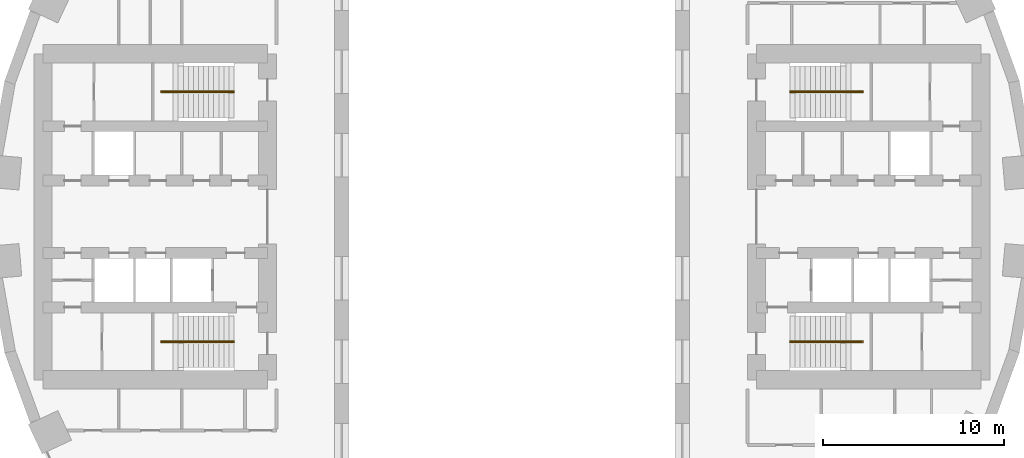
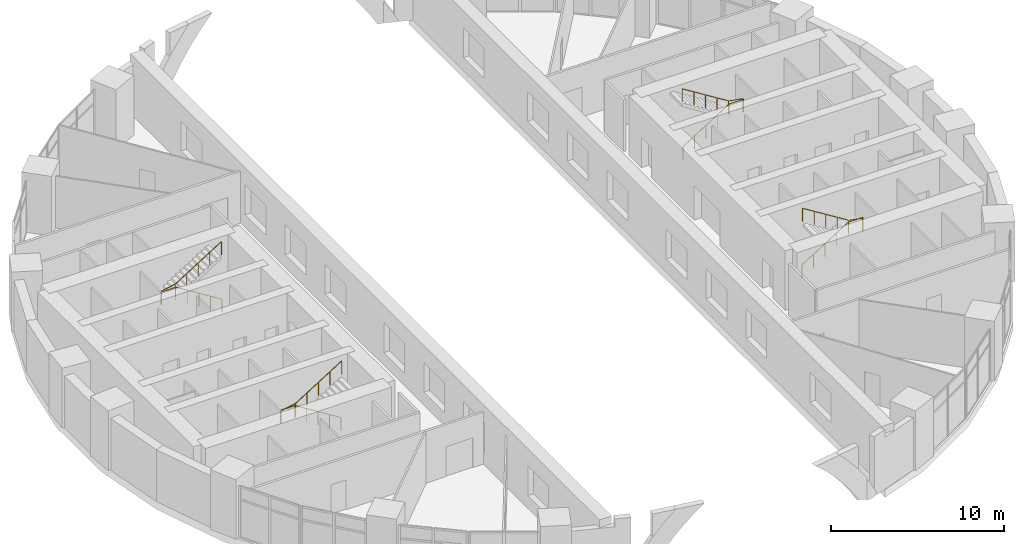
# One storey, part 13 of 13: 4 railings.
"""IFC4 building model written with IfcOpenShell, lengths in metres."""

from ifc_helpers import new_model, si_unit, direction, frame, origin, origin_2d, place, context, subcontext, project, spatial, circle, extrude, material, type_object, element, save


model = new_model("IFC4")

# Units and contexts
model_context = context("Model", 3, precision=1e-05, world=origin(), true_north=direction((0.0, 1.0)))
body_context = subcontext(model_context, "Body", "Model", "MODEL_VIEW")
ifc_project = project(units=[si_unit("LENGTHUNIT", "METRE"), si_unit("AREAUNIT", "SQUARE_METRE"), si_unit("VOLUMEUNIT", "CUBIC_METRE"), si_unit("PLANEANGLEUNIT", "RADIAN"), si_unit("MASSUNIT", "GRAM", prefix="KILO")], contexts=[model_context])

# Site, building, storey
site_placement = place(None, origin())
site = spatial("IfcSite", under=ifc_project, at=site_placement, CompositionType="ELEMENT")
building_placement = place(site_placement, origin())
building = spatial("IfcBuilding", under=site, at=building_placement, Name="Saqina Gate Tower", CompositionType="ELEMENT")
storey_placement = place(building_placement, frame((0.0, 0.0, 13.39990234375)))
storey = spatial("IfcBuildingStorey", under=building, at=storey_placement, Name="L03", CompositionType="ELEMENT", Elevation=13.39990234375)

# Railings
ifc_material = material(Name="Stainless steel", Category="steel")
railing_type = type_object("IfcRailingType", Name="STAIR HANDRAIL", PredefinedType="HANDRAIL", material=ifc_material)
railing_1_placement = place(storey_placement, frame((15.35009765625, 6.86669921875, 0.175048828125)))
element("IfcRailing", 1, at=railing_1_placement, inside=storey, type_object=railing_type, Name="EXIT STAIR 1 HANDRAIL", PredefinedType="HANDRAIL", context=body_context, shape_type="SweptSolid", body=[
    extrude(circle(Radius=0.02392578125, at=origin_2d()), frame((0.0, 0.0, 0.92578125), z_axis=(0.847979421464, 0.0, 0.530029150871), x_axis=(0.0, 1.0, 0.0)), (0.0, 0.0, 1.0), 3.632080078125),
    extrude(circle(Radius=0.02392578125, at=origin_2d()), frame((3.079833984375, 0.0, 2.85107421875), z_axis=(1.0, 0.0, 0.0), x_axis=(0.0, 1.0, 0.0)), (0.0, 0.0, 1.0), 0.949951171875),
    extrude(circle(Radius=0.02392578125, at=origin_2d()), frame((4.02978515625, 0.0, 2.85107421875), z_axis=(0.0, 1.0, 0.0), x_axis=(-1.0, 0.0, 0.0)), (0.0, 0.0, 1.0), 0.066650390625),
    extrude(circle(Radius=0.02392578125, at=origin_2d()), frame((4.02978515625, 0.066650390625, 2.85107421875), z_axis=(-0.983442521697, 0.0, 0.181220325895), x_axis=(0.0, -1.0, 0.0)), (0.0, 0.0, 1.0), 0.966064453125),
    extrude(circle(Radius=0.02392578125, at=origin_2d()), frame((3.079833984375, 0.066650390625, 3.02587890625), z_axis=(-0.847979421464, 0.0, 0.530029150871), x_axis=(0.0, -1.0, 0.0)), (0.0, 0.0, 1.0), 3.632080078125),
    extrude(circle(Radius=0.02099609375, at=origin_2d()), origin(), (0.0, 0.0, 1.0), 0.90185546875),
    extrude(circle(Radius=0.02099609375, at=origin_2d()), frame((0.77001953125, 0.0, 0.481201171875)), (0.0, 0.0, 1.0), 0.90185546875),
    extrude(circle(Radius=0.02099609375, at=origin_2d()), frame((1.5400390625, 0.0, 0.96240234375)), (0.0, 0.0, 1.0), 0.90185546875),
    extrude(circle(Radius=0.02099609375, at=origin_2d()), frame((2.309814453125, 0.0, 1.44384765625)), (0.0, 0.0, 1.0), 0.90185546875),
    extrude(circle(Radius=0.02099609375, at=origin_2d()), frame((3.079833984375, 0.0, 1.925048828125)), (0.0, 0.0, 1.0), 0.90185546875),
    extrude(circle(Radius=0.02099609375, at=origin_2d()), frame((4.02978515625, 0.0, 1.925048828125)), (0.0, 0.0, 1.0), 0.90185546875),
    extrude(circle(Radius=0.02099609375, at=origin_2d()), frame((4.02978515625, 0.066650390625, 1.925048828125)), (0.0, 0.0, 1.0), 0.90185546875),
    extrude(circle(Radius=0.02099609375, at=origin_2d()), frame((3.079833984375, 0.066650390625, 2.10009765625)), (0.0, 0.0, 1.0), 0.90185546875),
    extrude(circle(Radius=0.02099609375, at=origin_2d()), frame((2.309814453125, 0.066650390625, 2.581298828125)), (0.0, 0.0, 1.0), 0.90185546875),
    extrude(circle(Radius=0.02099609375, at=origin_2d()), frame((1.5400390625, 0.066650390625, 3.0625)), (0.0, 0.0, 1.0), 0.90185546875),
    extrude(circle(Radius=0.02099609375, at=origin_2d()), frame((0.77001953125, 0.066650390625, 3.5439453125)), (0.0, 0.0, 1.0), 0.90185546875),
    extrude(circle(Radius=0.02099609375, at=origin_2d()), frame((0.0, 0.066650390625, 4.025146484375)), (0.0, 0.0, 1.0), 0.90185546875),
])
railing_2_placement = place(storey_placement, frame((15.35009765625, -6.86669921875, 0.175048828125)))
element("IfcRailing", 2, at=railing_2_placement, inside=storey, type_object=railing_type, Name="EXIT STAIR 2 HANDRAIL", PredefinedType="HANDRAIL", context=body_context, shape_type="SweptSolid", body=[
    extrude(circle(Radius=0.02392578125, at=origin_2d()), frame((0.0, 0.0, 0.92578125), z_axis=(0.847979421464, 0.0, 0.530029150871), x_axis=(0.0, 1.0, 0.0)), (0.0, 0.0, 1.0), 3.632080078125),
    extrude(circle(Radius=0.02392578125, at=origin_2d()), frame((3.079833984375, 0.0, 2.85107421875), z_axis=(1.0, 0.0, 0.0), x_axis=(0.0, 1.0, 0.0)), (0.0, 0.0, 1.0), 0.949951171875),
    extrude(circle(Radius=0.02392578125, at=origin_2d()), frame((4.02978515625, 0.0, 2.85107421875), z_axis=(0.0, -1.0, 0.0), x_axis=(1.0, 0.0, 0.0)), (0.0, 0.0, 1.0), 0.066650390625),
    extrude(circle(Radius=0.02392578125, at=origin_2d()), frame((4.02978515625, -0.066650390625, 2.85107421875), z_axis=(-0.983442521697, 0.0, 0.181220325895), x_axis=(0.0, -1.0, 0.0)), (0.0, 0.0, 1.0), 0.966064453125),
    extrude(circle(Radius=0.02392578125, at=origin_2d()), frame((3.079833984375, -0.066650390625, 3.02587890625), z_axis=(-0.847979421464, 0.0, 0.530029150871), x_axis=(0.0, -1.0, 0.0)), (0.0, 0.0, 1.0), 3.632080078125),
    extrude(circle(Radius=0.02099609375, at=origin_2d()), origin(), (0.0, 0.0, 1.0), 0.90185546875),
    extrude(circle(Radius=0.02099609375, at=origin_2d()), frame((0.77001953125, 0.0, 0.481201171875)), (0.0, 0.0, 1.0), 0.90185546875),
    extrude(circle(Radius=0.02099609375, at=origin_2d()), frame((1.5400390625, 0.0, 0.96240234375)), (0.0, 0.0, 1.0), 0.90185546875),
    extrude(circle(Radius=0.02099609375, at=origin_2d()), frame((2.309814453125, 0.0, 1.44384765625)), (0.0, 0.0, 1.0), 0.90185546875),
    extrude(circle(Radius=0.02099609375, at=origin_2d()), frame((3.079833984375, 0.0, 1.925048828125)), (0.0, 0.0, 1.0), 0.90185546875),
    extrude(circle(Radius=0.02099609375, at=origin_2d()), frame((4.02978515625, 0.0, 1.925048828125)), (0.0, 0.0, 1.0), 0.90185546875),
    extrude(circle(Radius=0.02099609375, at=origin_2d()), frame((4.02978515625, -0.066650390625, 1.925048828125)), (0.0, 0.0, 1.0), 0.90185546875),
    extrude(circle(Radius=0.02099609375, at=origin_2d()), frame((3.079833984375, -0.066650390625, 2.10009765625)), (0.0, 0.0, 1.0), 0.90185546875),
    extrude(circle(Radius=0.02099609375, at=origin_2d()), frame((2.309814453125, -0.066650390625, 2.581298828125)), (0.0, 0.0, 1.0), 0.90185546875),
    extrude(circle(Radius=0.02099609375, at=origin_2d()), frame((1.5400390625, -0.066650390625, 3.0625)), (0.0, 0.0, 1.0), 0.90185546875),
    extrude(circle(Radius=0.02099609375, at=origin_2d()), frame((0.77001953125, -0.066650390625, 3.5439453125)), (0.0, 0.0, 1.0), 0.90185546875),
    extrude(circle(Radius=0.02099609375, at=origin_2d()), frame((0.0, -0.066650390625, 4.025146484375)), (0.0, 0.0, 1.0), 0.90185546875),
])
railing_3_placement = place(storey_placement, frame((-15.35009765625, 6.86669921875, 0.175048828125)))
element("IfcRailing", 3, at=railing_3_placement, inside=storey, type_object=railing_type, Name="EXIT STAIR 3 HANDRAIL", PredefinedType="HANDRAIL", context=body_context, shape_type="SweptSolid", body=[
    extrude(circle(Radius=0.02392578125, at=origin_2d()), frame((0.0, 0.0, 0.92578125), z_axis=(-0.847979421464, 0.0, 0.530029150871), x_axis=(0.0, -1.0, 0.0)), (0.0, 0.0, 1.0), 3.632080078125),
    extrude(circle(Radius=0.02392578125, at=origin_2d()), frame((-3.079833984375, 0.0, 2.85107421875), z_axis=(-1.0, 0.0, 0.0), x_axis=(0.0, -1.0, 0.0)), (0.0, 0.0, 1.0), 0.949951171875),
    extrude(circle(Radius=0.02392578125, at=origin_2d()), frame((-4.02978515625, 0.0, 2.85107421875), z_axis=(0.0, 1.0, 0.0), x_axis=(-1.0, 0.0, 0.0)), (0.0, 0.0, 1.0), 0.066650390625),
    extrude(circle(Radius=0.02392578125, at=origin_2d()), frame((-4.02978515625, 0.066650390625, 2.85107421875), z_axis=(0.983442521697, 0.0, 0.181220325895), x_axis=(0.0, 1.0, 0.0)), (0.0, 0.0, 1.0), 0.966064453125),
    extrude(circle(Radius=0.02392578125, at=origin_2d()), frame((-3.079833984375, 0.066650390625, 3.02587890625), z_axis=(0.847979421464, 0.0, 0.530029150871), x_axis=(0.0, 1.0, 0.0)), (0.0, 0.0, 1.0), 3.632080078125),
    extrude(circle(Radius=0.02099609375, at=origin_2d()), origin(), (0.0, 0.0, 1.0), 0.90185546875),
    extrude(circle(Radius=0.02099609375, at=origin_2d()), frame((-0.77001953125, 0.0, 0.481201171875)), (0.0, 0.0, 1.0), 0.90185546875),
    extrude(circle(Radius=0.02099609375, at=origin_2d()), frame((-1.5400390625, 0.0, 0.96240234375)), (0.0, 0.0, 1.0), 0.90185546875),
    extrude(circle(Radius=0.02099609375, at=origin_2d()), frame((-2.309814453125, 0.0, 1.44384765625)), (0.0, 0.0, 1.0), 0.90185546875),
    extrude(circle(Radius=0.02099609375, at=origin_2d()), frame((-3.079833984375, 0.0, 1.925048828125)), (0.0, 0.0, 1.0), 0.90185546875),
    extrude(circle(Radius=0.02099609375, at=origin_2d()), frame((-4.02978515625, 0.0, 1.925048828125)), (0.0, 0.0, 1.0), 0.90185546875),
    extrude(circle(Radius=0.02099609375, at=origin_2d()), frame((-4.02978515625, 0.066650390625, 1.925048828125)), (0.0, 0.0, 1.0), 0.90185546875),
    extrude(circle(Radius=0.02099609375, at=origin_2d()), frame((-3.079833984375, 0.066650390625, 2.10009765625)), (0.0, 0.0, 1.0), 0.90185546875),
    extrude(circle(Radius=0.02099609375, at=origin_2d()), frame((-2.309814453125, 0.066650390625, 2.581298828125)), (0.0, 0.0, 1.0), 0.90185546875),
    extrude(circle(Radius=0.02099609375, at=origin_2d()), frame((-1.5400390625, 0.066650390625, 3.0625)), (0.0, 0.0, 1.0), 0.90185546875),
    extrude(circle(Radius=0.02099609375, at=origin_2d()), frame((-0.77001953125, 0.066650390625, 3.5439453125)), (0.0, 0.0, 1.0), 0.90185546875),
    extrude(circle(Radius=0.02099609375, at=origin_2d()), frame((0.0, 0.066650390625, 4.025146484375)), (0.0, 0.0, 1.0), 0.90185546875),
])
railing_4_placement = place(storey_placement, frame((-15.35009765625, -6.86669921875, 0.175048828125)))
element("IfcRailing", 4, at=railing_4_placement, inside=storey, type_object=railing_type, Name="EXIT STAIR 4 HANDRAIL", PredefinedType="HANDRAIL", context=body_context, shape_type="SweptSolid", body=[
    extrude(circle(Radius=0.02392578125, at=origin_2d()), frame((0.0, 0.0, 0.92578125), z_axis=(-0.847979421464, 0.0, 0.530029150871), x_axis=(0.0, -1.0, 0.0)), (0.0, 0.0, 1.0), 3.632080078125),
    extrude(circle(Radius=0.02392578125, at=origin_2d()), frame((-3.079833984375, 0.0, 2.85107421875), z_axis=(-1.0, 0.0, 0.0), x_axis=(0.0, -1.0, 0.0)), (0.0, 0.0, 1.0), 0.949951171875),
    extrude(circle(Radius=0.02392578125, at=origin_2d()), frame((-4.02978515625, 0.0, 2.85107421875), z_axis=(0.0, -1.0, 0.0), x_axis=(1.0, 0.0, 0.0)), (0.0, 0.0, 1.0), 0.066650390625),
    extrude(circle(Radius=0.02392578125, at=origin_2d()), frame((-4.02978515625, -0.066650390625, 2.85107421875), z_axis=(0.983442521697, 0.0, 0.181220325895), x_axis=(0.0, 1.0, 0.0)), (0.0, 0.0, 1.0), 0.966064453125),
    extrude(circle(Radius=0.02392578125, at=origin_2d()), frame((-3.079833984375, -0.066650390625, 3.02587890625), z_axis=(0.847979421464, 0.0, 0.530029150871), x_axis=(0.0, 1.0, 0.0)), (0.0, 0.0, 1.0), 3.632080078125),
    extrude(circle(Radius=0.02099609375, at=origin_2d()), origin(), (0.0, 0.0, 1.0), 0.90185546875),
    extrude(circle(Radius=0.02099609375, at=origin_2d()), frame((-0.77001953125, 0.0, 0.481201171875)), (0.0, 0.0, 1.0), 0.90185546875),
    extrude(circle(Radius=0.02099609375, at=origin_2d()), frame((-1.5400390625, 0.0, 0.96240234375)), (0.0, 0.0, 1.0), 0.90185546875),
    extrude(circle(Radius=0.02099609375, at=origin_2d()), frame((-2.309814453125, 0.0, 1.44384765625)), (0.0, 0.0, 1.0), 0.90185546875),
    extrude(circle(Radius=0.02099609375, at=origin_2d()), frame((-3.079833984375, 0.0, 1.925048828125)), (0.0, 0.0, 1.0), 0.90185546875),
    extrude(circle(Radius=0.02099609375, at=origin_2d()), frame((-4.02978515625, 0.0, 1.925048828125)), (0.0, 0.0, 1.0), 0.90185546875),
    extrude(circle(Radius=0.02099609375, at=origin_2d()), frame((-4.02978515625, -0.066650390625, 1.925048828125)), (0.0, 0.0, 1.0), 0.90185546875),
    extrude(circle(Radius=0.02099609375, at=origin_2d()), frame((-3.079833984375, -0.066650390625, 2.10009765625)), (0.0, 0.0, 1.0), 0.90185546875),
    extrude(circle(Radius=0.02099609375, at=origin_2d()), frame((-2.309814453125, -0.066650390625, 2.581298828125)), (0.0, 0.0, 1.0), 0.90185546875),
    extrude(circle(Radius=0.02099609375, at=origin_2d()), frame((-1.5400390625, -0.066650390625, 3.0625)), (0.0, 0.0, 1.0), 0.90185546875),
    extrude(circle(Radius=0.02099609375, at=origin_2d()), frame((-0.77001953125, -0.066650390625, 3.5439453125)), (0.0, 0.0, 1.0), 0.90185546875),
    extrude(circle(Radius=0.02099609375, at=origin_2d()), frame((0.0, -0.066650390625, 4.025146484375)), (0.0, 0.0, 1.0), 0.90185546875),
])

save(model, "model.ifc")
